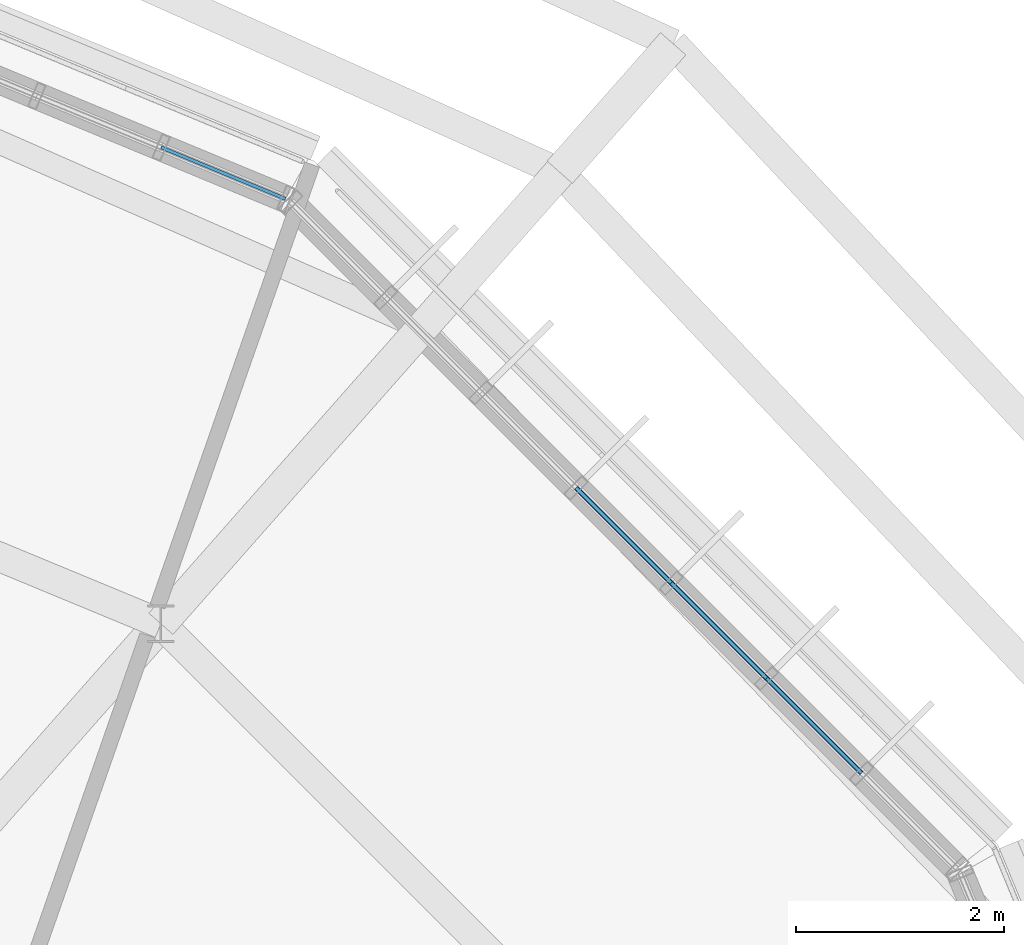
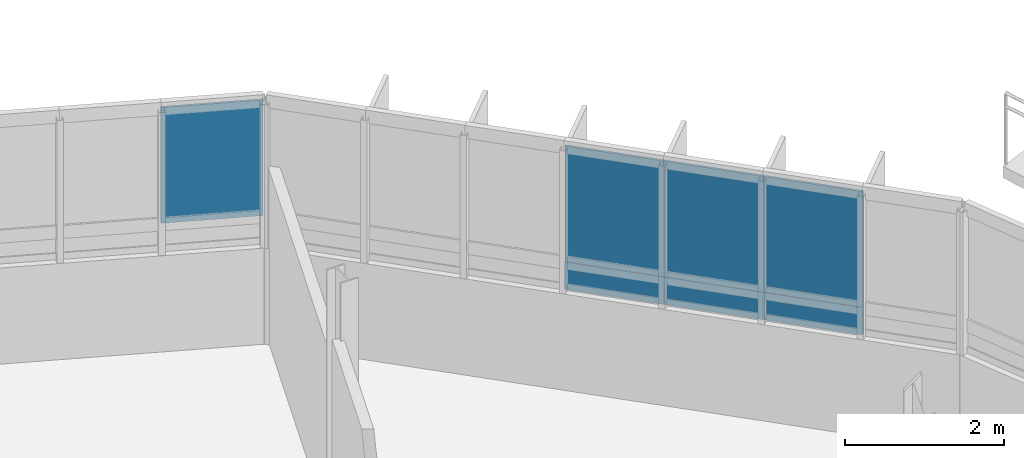
# One storey, part 28 of 38: 7 plates, 2 elements without a shape of their own.
"""IFC4 building model written with IfcOpenShell, lengths in metres."""

from ifc_helpers import new_model, si_unit, derived_unit, direction, frame, origin, origin_2d, place, context, subcontext, project, spatial, rectangle, extrude, material, layer, layer_set, type_object, element, aggregate, save


model = new_model("IFC4")

# Units and contexts
model_context = context("Model", 3, precision=1e-05, world=origin(), true_north=direction((0.0, 1.0)))
body_context = subcontext(model_context, "Body", "Model", "MODEL_VIEW")
ifc_project = project(units=[si_unit("LENGTHUNIT", "METRE"), si_unit("AREAUNIT", "SQUARE_METRE"), si_unit("VOLUMEUNIT", "CUBIC_METRE"), si_unit("PLANEANGLEUNIT", "RADIAN"), si_unit("MASSUNIT", "GRAM", prefix="KILO"), derived_unit("THERMALTRANSMITTANCEUNIT", [(si_unit("MASSUNIT", "GRAM", prefix="KILO"), 1), (si_unit("TIMEUNIT", "SECOND"), -3), (si_unit("THERMODYNAMICTEMPERATUREUNIT", "KELVIN"), -1)])], contexts=[model_context])

# Site, building, storey
site_placement = place(None, origin())
site = spatial("IfcSite", under=ifc_project, at=site_placement, CompositionType="ELEMENT")
building_placement = place(site_placement, origin())
building = spatial("IfcBuilding", under=site, at=building_placement, Name="Makaiwela Harbour Ferry Terminal", CompositionType="ELEMENT")
storey_placement = place(building_placement, frame((0.0, 0.0, 17.699951171875)))
storey = spatial("IfcBuildingStorey", under=building, at=storey_placement, Name="L04", CompositionType="ELEMENT", Elevation=17.699951171875)

# Curtain wall, plates
ifc_material_1 = material(Name="Marine anodised aluminium 6063-T6", Category="aluminium")
ifc_layer_1 = layer(ifc_material_1, 0.199951171875)
ifc_layer_set_1 = layer_set([ifc_layer_1], Name="Marine anodised aluminium 6063-T6")
curtain_wall_type = type_object("IfcCurtainWallType", Name="ENV-CW-06", PredefinedType="USERDEFINED", material=ifc_layer_set_1)
curtain_wall_1_placement = place(storey_placement, origin())
curtain_wall_1 = element("IfcCurtainWall", 1, at=curtain_wall_1_placement, inside=storey, type_object=curtain_wall_type, Name="Unitised Curtain Wall CWA-044", ObjectType="UNITIZED CURTAIN WALL", PredefinedType="USERDEFINED")
ifc_material_2 = material(Name="Laminated hurricane-impact low-E insulated glazing", Category="glass")
ifc_layer_2 = layer(ifc_material_2, 0.031982421875)
ifc_layer_set_2 = layer_set([ifc_layer_2], Name="Laminated hurricane-impact low-E insulated glazing")
plate_type_1 = type_object("IfcPlateType", Name="CW-PNL-G09", PredefinedType="CURTAIN_PANEL", material=ifc_layer_set_2)
plate_1_placement = place(storey_placement, frame((54.11083984375, 83.166015625, 1.89990234375), z_axis=(0.0, 0.0, 1.0), x_axis=(-0.707106781187, 0.707106781187, 0.0)))
plate_1 = element("IfcPlate", 2, at=plate_1_placement, type_object=plate_type_1, Name="Glazed Vision Panel CWA-044-2G", PredefinedType="CURTAIN_PANEL", context=body_context, shape_type="SweptSolid", body=[
    extrude(rectangle(XDim=1.2958984375, YDim=0.031982421875, at=origin_2d()), origin(), (0.0, 0.0, 1.0), 1.780029296875),
])
plate_2_placement = place(storey_placement, frame((53.194580078125, 84.08203125, 1.89990234375), z_axis=(0.0, 0.0, 1.0), x_axis=(-0.707106781187, 0.707106781187, 0.0)))
plate_2 = element("IfcPlate", 3, at=plate_2_placement, type_object=plate_type_1, Name="Glazed Vision Panel CWA-044-3G", PredefinedType="CURTAIN_PANEL", context=body_context, shape_type="SweptSolid", body=[
    extrude(rectangle(XDim=1.2958984375, YDim=0.031982421875, at=origin_2d()), origin(), (0.0, 0.0, 1.0), 1.780029296875),
])
plate_3_placement = place(storey_placement, frame((52.2783203125, 84.998291015625, 1.89990234375), z_axis=(0.0, 0.0, 1.0), x_axis=(-0.707106781187, 0.707106781187, 0.0)))
plate_3 = element("IfcPlate", 4, at=plate_3_placement, type_object=plate_type_1, Name="Glazed Vision Panel CWA-044-4G", PredefinedType="CURTAIN_PANEL", context=body_context, shape_type="SweptSolid", body=[
    extrude(rectangle(XDim=1.2958984375, YDim=0.031982421875, at=origin_2d()), origin(), (0.0, 0.0, 1.0), 1.780029296875),
])

# Curtain wall, plate
curtain_wall_2_placement = place(storey_placement, origin())
curtain_wall_2 = element("IfcCurtainWall", 5, at=curtain_wall_2_placement, inside=storey, type_object=curtain_wall_type, Name="Unitised Curtain Wall CWA-045", ObjectType="UNITIZED CURTAIN WALL", PredefinedType="USERDEFINED")
plate_4_placement = place(storey_placement, frame((48.424072265625, 88.48583984375, 1.89990234375), z_axis=(0.0, 0.0, 1.0), x_axis=(-0.923879532511, 0.382683432365, 0.0)))
plate_4 = element("IfcPlate", 6, at=plate_4_placement, type_object=plate_type_1, Name="Glazed Vision Panel CWA-045-1G", PredefinedType="CURTAIN_PANEL", context=body_context, shape_type="SweptSolid", body=[
    extrude(rectangle(XDim=1.295654296875, YDim=0.031982421875, at=origin_2d()), origin(), (0.0, 0.0, 1.0), 1.780029296875),
])
aggregate(curtain_wall_2, [plate_4])

# Plate
ifc_material_3 = material(Name="Insulated marine aluminium spandrel panel", Category="aluminium")
ifc_layer_3 = layer(ifc_material_3, 0.048095703125)
ifc_layer_set_3 = layer_set([ifc_layer_3], Name="Insulated marine aluminium spandrel panel")
plate_type_2 = type_object("IfcPlateType", Name="CW-PNL-S01", PredefinedType="CURTAIN_PANEL", material=ifc_layer_set_3)
plate_5_placement = place(storey_placement, frame((54.11083984375, 83.166015625, 1.47998046875), z_axis=(0.0, 0.0, 1.0), x_axis=(-0.707106781187, 0.707106781187, 0.0)))
plate_5 = element("IfcPlate", 7, at=plate_5_placement, type_object=plate_type_2, Name="Spandrel Panel CWA-044-2S", PredefinedType="CURTAIN_PANEL", context=body_context, shape_type="SweptSolid", body=[
    extrude(rectangle(XDim=1.2958984375, YDim=0.048095703125, at=origin_2d()), origin(), (0.0, 0.0, 1.0), 0.419921875),
])

plate_6_placement = place(storey_placement, frame((53.194580078125, 84.08203125, 1.47998046875), z_axis=(0.0, 0.0, 1.0), x_axis=(-0.707106781187, 0.707106781187, 0.0)))
plate_6 = element("IfcPlate", 8, at=plate_6_placement, type_object=plate_type_2, Name="Spandrel Panel CWA-044-3S", PredefinedType="CURTAIN_PANEL", context=body_context, shape_type="SweptSolid", body=[
    extrude(rectangle(XDim=1.2958984375, YDim=0.048095703125, at=origin_2d()), origin(), (0.0, 0.0, 1.0), 0.419921875),
])

plate_7_placement = place(storey_placement, frame((52.2783203125, 84.998291015625, 1.47998046875), z_axis=(0.0, 0.0, 1.0), x_axis=(-0.707106781187, 0.707106781187, 0.0)))
plate_7 = element("IfcPlate", 9, at=plate_7_placement, type_object=plate_type_2, Name="Spandrel Panel CWA-044-4S", PredefinedType="CURTAIN_PANEL", context=body_context, shape_type="SweptSolid", body=[
    extrude(rectangle(XDim=1.2958984375, YDim=0.048095703125, at=origin_2d()), origin(), (0.0, 0.0, 1.0), 0.419921875),
])

aggregate(curtain_wall_1, [plate_5, plate_1, plate_6, plate_2, plate_7, plate_3])

save(model, "model.ifc")
